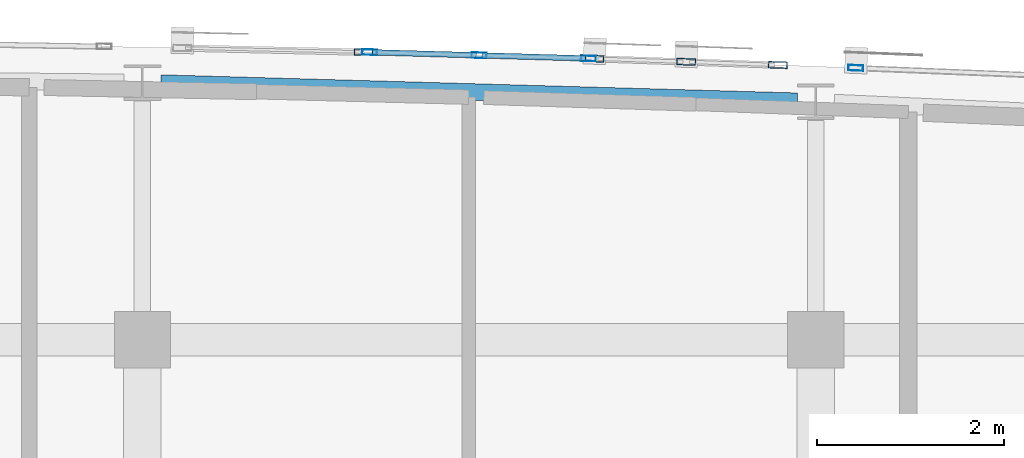
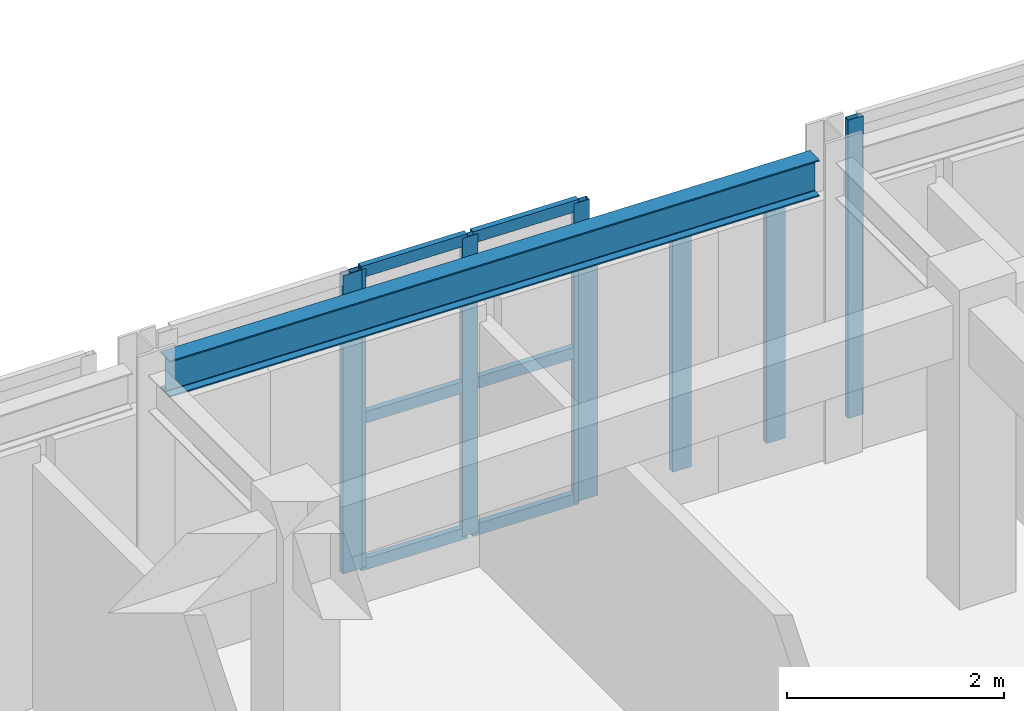
# One storey, part 19 of 45: 14 members, 1 beam, 4 elements without a shape of their own.
"""IFC4 building model written with IfcOpenShell, lengths in metres."""

from ifc_helpers import new_model, si_unit, direction, frame, origin, origin_2d, place, context, subcontext, project, spatial, hollow_rectangle, i_section, extrude, material, layer, layer_set, material_profile, profile_set, type_object, element, aggregate, save


model = new_model("IFC4")

# Units and contexts
model_context = context("Model", 3, precision=1e-05, world=origin(), true_north=direction((0.0, 1.0)))
body_context = subcontext(model_context, "Body", "Model", "MODEL_VIEW")
ifc_project = project(units=[si_unit("LENGTHUNIT", "METRE"), si_unit("AREAUNIT", "SQUARE_METRE"), si_unit("VOLUMEUNIT", "CUBIC_METRE"), si_unit("PLANEANGLEUNIT", "RADIAN"), si_unit("MASSUNIT", "GRAM", prefix="KILO")], contexts=[model_context])

# Site, building, storey
site_placement = place(None, origin())
site = spatial("IfcSite", under=ifc_project, at=site_placement, CompositionType="ELEMENT")
building_placement = place(site_placement, origin())
building = spatial("IfcBuilding", under=site, at=building_placement, Name="Carrowvane Square Congress Hotel", CompositionType="ELEMENT")
storey_placement = place(building_placement, frame((0.0, 0.0, 33.60009765625)))
storey = spatial("IfcBuildingStorey", under=building, at=storey_placement, Name="L08", CompositionType="ELEMENT", Elevation=33.60009765625)

# Beam
ifc_material_1 = material(Name="Steel S355", Category="steel")
ifc_material_profile_1 = material_profile(ifc_material_1, i_section(OverallWidth=0.1787109375, OverallDepth=0.409423828125, WebThickness=0.0087890625, FlangeThickness=0.014404296875, FilletRadius=0.01025390625, at=origin_2d()), Name="UKB 406x178x67")
ifc_profile_set_1 = profile_set([ifc_material_profile_1], Name="Steel S355")
beam_type = type_object("IfcBeamType", Name="BM-ST-UKB406", PredefinedType="BEAM", material=ifc_profile_set_1)
beam_placement = place(storey_placement, frame((105.397216796875, 116.14404296875, 3.1552734375), z_axis=(0.999592525084, -0.028544417936, 0.0), x_axis=(0.028544417936, 0.999592525084, 0.0)))
element("IfcBeam", 1, at=beam_placement, inside=storey, type_object=beam_type, Name="L09 curved north spandrel", PredefinedType="BEAM", context=body_context, shape_type="SweptSolid", body=[
    extrude(i_section(OverallWidth=0.1787109375, OverallDepth=0.409423828125, WebThickness=0.0087890625, FlangeThickness=0.014404296875, FilletRadius=0.01025390625, at=origin_2d()), origin(), (0.0, 0.0, 1.0), 6.80810546875),
])

# Curtain wall, members
ifc_material_2 = material(Name="Anodised aluminium", Category="aluminium")
ifc_layer_1 = layer(ifc_material_2, 0.23388671875)
ifc_layer_set_1 = layer_set([ifc_layer_1], Name="Anodised aluminium")
curtain_wall_type_1 = type_object("IfcCurtainWallType", Name="CW-SYS-7", PredefinedType="NOTDEFINED", material=ifc_layer_set_1)
curtain_wall_1_placement = place(storey_placement, origin())
curtain_wall_1 = element("IfcCurtainWall", 2, at=curtain_wall_1_placement, inside=storey, type_object=curtain_wall_type_1, Name="L08 unitised curtain wall 486", PredefinedType="NOTDEFINED")
ifc_material_3 = material(Name="Anodised aluminium", Category="aluminium")
ifc_material_profile_2 = material_profile(ifc_material_3, hollow_rectangle(XDim=0.06005859375, YDim=0.159912109375, WallThickness=0.00390625, at=origin_2d()), Name="CW-ML 60x160x4")
ifc_profile_set_2 = profile_set([ifc_material_profile_2], Name="Anodised aluminium")
member_type_1 = type_object("IfcMemberType", Name="CW-MUL-1", PredefinedType="MULLION", material=ifc_profile_set_2)
member_1_placement = place(storey_placement, frame((107.6298828125, 116.474853515625, 0.0), z_axis=(0.0, 0.0, 1.0), x_axis=(0.028638010501, 0.999589848065, 0.0)))
member_1 = element("IfcMember", 3, at=member_1_placement, type_object=member_type_1, Name="CW-7 mullion 1", PredefinedType="MULLION", context=body_context, shape_type="SweptSolid", body=[
    extrude(hollow_rectangle(XDim=0.06005859375, YDim=0.159912109375, WallThickness=0.00390625, at=origin_2d()), origin(), (0.0, 0.0, 1.0), 3.35986328125),
])
member_2_placement = place(storey_placement, frame((108.800048828125, 116.44140625, 0.0), z_axis=(0.0, 0.0, 1.0), x_axis=(0.028638010501, 0.999589848065, 0.0)))
member_2 = element("IfcMember", 4, at=member_2_placement, type_object=member_type_1, Name="CW-7 mullion 2", PredefinedType="MULLION", context=body_context, shape_type="SweptSolid", body=[
    extrude(hollow_rectangle(XDim=0.06005859375, YDim=0.159912109375, WallThickness=0.00390625, at=origin_2d()), origin(), (0.0, 0.0, 1.0), 3.35986328125),
])
member_3_placement = place(storey_placement, frame((109.969970703125, 116.40771484375, 0.0), z_axis=(0.0, 0.0, 1.0), x_axis=(0.028638010501, 0.999589848065, 0.0)))
member_3 = element("IfcMember", 5, at=member_3_placement, type_object=member_type_1, Name="CW-7 mullion 3", PredefinedType="MULLION", context=body_context, shape_type="SweptSolid", body=[
    extrude(hollow_rectangle(XDim=0.06005859375, YDim=0.159912109375, WallThickness=0.00390625, at=origin_2d()), origin(), (0.0, 0.0, 1.0), 3.35986328125),
])

# Curtain wall, member
ifc_material_4 = material(Name="Anodised aluminium", Category="aluminium")
ifc_layer_2 = layer(ifc_material_4, 0.162109375)
ifc_layer_set_2 = layer_set([ifc_layer_2], Name="Anodised aluminium")
curtain_wall_type_2 = type_object("IfcCurtainWallType", Name="CW-SYS-1", PredefinedType="NOTDEFINED", material=ifc_layer_set_2)
curtain_wall_2_placement = place(storey_placement, origin())
curtain_wall_2 = element("IfcCurtainWall", 6, at=curtain_wall_2_placement, inside=storey, type_object=curtain_wall_type_2, Name="L08 unitised curtain wall 488", PredefinedType="NOTDEFINED")
member_4_placement = place(storey_placement, frame((112.828857421875, 116.306884765625, 0.0), z_axis=(0.0, 0.0, 1.0), x_axis=(0.040130957403, 0.999194428656, 0.0)))
member_4 = element("IfcMember", 7, at=member_4_placement, type_object=member_type_1, Name="CW-1 mullion 1", PredefinedType="MULLION", context=body_context, shape_type="SweptSolid", body=[
    extrude(hollow_rectangle(XDim=0.06005859375, YDim=0.159912109375, WallThickness=0.00390625, at=origin_2d()), origin(), (0.0, 0.0, 1.0), 3.35986328125),
])
aggregate(curtain_wall_2, [member_4])

ifc_material_5 = material(Name="Anodised aluminium", Category="aluminium")
ifc_layer_3 = layer(ifc_material_5, 0.221923828125)
ifc_layer_set_3 = layer_set([ifc_layer_3], Name="Anodised aluminium")
curtain_wall_type_3 = type_object("IfcCurtainWallType", Name="CW-SYS-6", PredefinedType="NOTDEFINED", material=ifc_layer_set_3)
curtain_wall_3_placement = place(storey_placement, origin())
curtain_wall_3 = element("IfcCurtainWall", 8, at=curtain_wall_3_placement, inside=storey, type_object=curtain_wall_type_3, Name="L08 unitised curtain wall 485", PredefinedType="NOTDEFINED")
ifc_material_6 = material(Name="Anodised aluminium", Category="aluminium")
ifc_material_profile_3 = material_profile(ifc_material_6, hollow_rectangle(XDim=0.070068359375, YDim=0.199951171875, WallThickness=0.0048828125, at=origin_2d()), Name="CW-ML 70x200x5")
ifc_profile_set_3 = profile_set([ifc_material_profile_3], Name="Anodised aluminium")
member_type_2 = type_object("IfcMemberType", Name="CW-MUL-2", PredefinedType="MULLION", material=ifc_profile_set_3)
member_5_placement = place(storey_placement, frame((107.56494140625, 116.4765625, 0.0), z_axis=(0.0, 0.0, 1.0), x_axis=(0.022517686606, 0.99974644475, 0.0)))
member_5 = element("IfcMember", 9, at=member_5_placement, type_object=member_type_2, Name="CW-6 mullion 2", PredefinedType="MULLION", context=body_context, shape_type="SweptSolid", body=[
    extrude(hollow_rectangle(XDim=0.070068359375, YDim=0.199951171875, WallThickness=0.0048828125, at=origin_2d()), origin(), (0.0, 0.0, 1.0), 3.35986328125),
])
aggregate(curtain_wall_3, [member_5])

# Curtain wall, members
ifc_material_7 = material(Name="Anodised aluminium", Category="aluminium")
ifc_layer_4 = layer(ifc_material_7, 0.24609375)
ifc_layer_set_4 = layer_set([ifc_layer_4], Name="Anodised aluminium")
curtain_wall_type_4 = type_object("IfcCurtainWallType", Name="CW-SYS-8", PredefinedType="NOTDEFINED", material=ifc_layer_set_4)
curtain_wall_4_placement = place(storey_placement, origin())
curtain_wall_4 = element("IfcCurtainWall", 10, at=curtain_wall_4_placement, inside=storey, type_object=curtain_wall_type_4, Name="L08 unitised curtain wall 487", PredefinedType="NOTDEFINED")
member_6_placement = place(storey_placement, frame((110.034912109375, 116.40576171875, 0.0), z_axis=(0.0, 0.0, 1.0), x_axis=(0.034529948347, 0.999403663525, 0.0)))
member_6 = element("IfcMember", 11, at=member_6_placement, type_object=member_type_2, Name="CW-8 mullion 1", PredefinedType="MULLION", context=body_context, shape_type="SweptSolid", body=[
    extrude(hollow_rectangle(XDim=0.070068359375, YDim=0.199951171875, WallThickness=0.0048828125, at=origin_2d()), origin(), (0.0, 0.0, 1.0), 2.935546875),
])
member_7_placement = place(storey_placement, frame((111.0146484375, 116.371826171875, 0.0), z_axis=(0.0, 0.0, 1.0), x_axis=(0.034529948347, 0.999403663525, 0.0)))
member_7 = element("IfcMember", 12, at=member_7_placement, type_object=member_type_2, Name="CW-8 mullion 2", PredefinedType="MULLION", context=body_context, shape_type="SweptSolid", body=[
    extrude(hollow_rectangle(XDim=0.070068359375, YDim=0.199951171875, WallThickness=0.0048828125, at=origin_2d()), origin(), (0.0, 0.0, 1.0), 2.935546875),
])
member_8_placement = place(storey_placement, frame((111.99462890625, 116.338134765625, 0.0), z_axis=(0.0, 0.0, 1.0), x_axis=(0.034529948347, 0.999403663525, 0.0)))
member_8 = element("IfcMember", 13, at=member_8_placement, type_object=member_type_2, Name="CW-8 mullion 3", PredefinedType="MULLION", context=body_context, shape_type="SweptSolid", body=[
    extrude(hollow_rectangle(XDim=0.070068359375, YDim=0.199951171875, WallThickness=0.0048828125, at=origin_2d()), origin(), (0.0, 0.0, 1.0), 2.935546875),
])
aggregate(curtain_wall_4, [member_6, member_7, member_8])

# Member
ifc_material_8 = material(Name="Anodised aluminium", Category="aluminium")
ifc_material_profile_4 = material_profile(ifc_material_8, hollow_rectangle(XDim=0.06005859375, YDim=0.1298828125, WallThickness=0.00390625, at=origin_2d()), Name="CW-TR 60x130x4")
ifc_profile_set_4 = profile_set([ifc_material_profile_4], Name="Anodised aluminium")
member_type_3 = type_object("IfcMemberType", Name="CW-TRN-1", PredefinedType="USERDEFINED", material=ifc_profile_set_4)
member_9_placement = place(storey_placement, frame((107.659912109375, 116.473876953125, 0.02978515625), z_axis=(0.99959154835, -0.028578601558, 0.0), x_axis=(0.028578601558, 0.99959154835, 0.0)))
member_9 = element("IfcMember", 14, at=member_9_placement, type_object=member_type_3, Name="CW-7 transom 1.1", ObjectType="TRANSOM", PredefinedType="USERDEFINED", context=body_context, shape_type="SweptSolid", body=[
    extrude(hollow_rectangle(XDim=0.06005859375, YDim=0.1298828125, WallThickness=0.00390625, at=origin_2d()), origin(), (0.0, 0.0, 1.0), 1.110595703125),
])

member_10_placement = place(storey_placement, frame((107.659912109375, 116.473876953125, 1.679931640625), z_axis=(0.99959154835, -0.028578601558, 0.0), x_axis=(0.028578601558, 0.99959154835, 0.0)))
member_10 = element("IfcMember", 15, at=member_10_placement, type_object=member_type_3, Name="CW-7 transom 1.2", ObjectType="TRANSOM", PredefinedType="USERDEFINED", context=body_context, shape_type="SweptSolid", body=[
    extrude(hollow_rectangle(XDim=0.06005859375, YDim=0.1298828125, WallThickness=0.00390625, at=origin_2d()), origin(), (0.0, 0.0, 1.0), 1.110595703125),
])

member_11_placement = place(storey_placement, frame((107.659912109375, 116.473876953125, 3.329833984375), z_axis=(0.99959154835, -0.028578601558, 0.0), x_axis=(0.028578601558, 0.99959154835, 0.0)))
member_11 = element("IfcMember", 16, at=member_11_placement, type_object=member_type_3, Name="CW-7 transom 1.3", ObjectType="TRANSOM", PredefinedType="USERDEFINED", context=body_context, shape_type="SweptSolid", body=[
    extrude(hollow_rectangle(XDim=0.06005859375, YDim=0.1298828125, WallThickness=0.00390625, at=origin_2d()), origin(), (0.0, 0.0, 1.0), 1.110595703125),
])

member_12_placement = place(storey_placement, frame((108.830078125, 116.4404296875, 0.02978515625), z_axis=(0.999591368743, -0.02858488296, 0.0), x_axis=(0.02858488296, 0.999591368743, 0.0)))
member_12 = element("IfcMember", 17, at=member_12_placement, type_object=member_type_3, Name="CW-7 transom 2.1", ObjectType="TRANSOM", PredefinedType="USERDEFINED", context=body_context, shape_type="SweptSolid", body=[
    extrude(hollow_rectangle(XDim=0.06005859375, YDim=0.1298828125, WallThickness=0.00390625, at=origin_2d()), origin(), (0.0, 0.0, 1.0), 1.1103515625),
])

member_13_placement = place(storey_placement, frame((108.830078125, 116.4404296875, 1.679931640625), z_axis=(0.999591368743, -0.02858488296, 0.0), x_axis=(0.02858488296, 0.999591368743, 0.0)))
member_13 = element("IfcMember", 18, at=member_13_placement, type_object=member_type_3, Name="CW-7 transom 2.2", ObjectType="TRANSOM", PredefinedType="USERDEFINED", context=body_context, shape_type="SweptSolid", body=[
    extrude(hollow_rectangle(XDim=0.06005859375, YDim=0.1298828125, WallThickness=0.00390625, at=origin_2d()), origin(), (0.0, 0.0, 1.0), 1.1103515625),
])

member_14_placement = place(storey_placement, frame((108.830078125, 116.4404296875, 3.329833984375), z_axis=(0.999591368743, -0.02858488296, 0.0), x_axis=(0.02858488296, 0.999591368743, 0.0)))
member_14 = element("IfcMember", 19, at=member_14_placement, type_object=member_type_3, Name="CW-7 transom 2.3", ObjectType="TRANSOM", PredefinedType="USERDEFINED", context=body_context, shape_type="SweptSolid", body=[
    extrude(hollow_rectangle(XDim=0.06005859375, YDim=0.1298828125, WallThickness=0.00390625, at=origin_2d()), origin(), (0.0, 0.0, 1.0), 1.1103515625),
])

aggregate(curtain_wall_1, [member_1, member_2, member_3, member_9, member_10, member_11, member_12, member_13, member_14])

save(model, "model.ifc")
